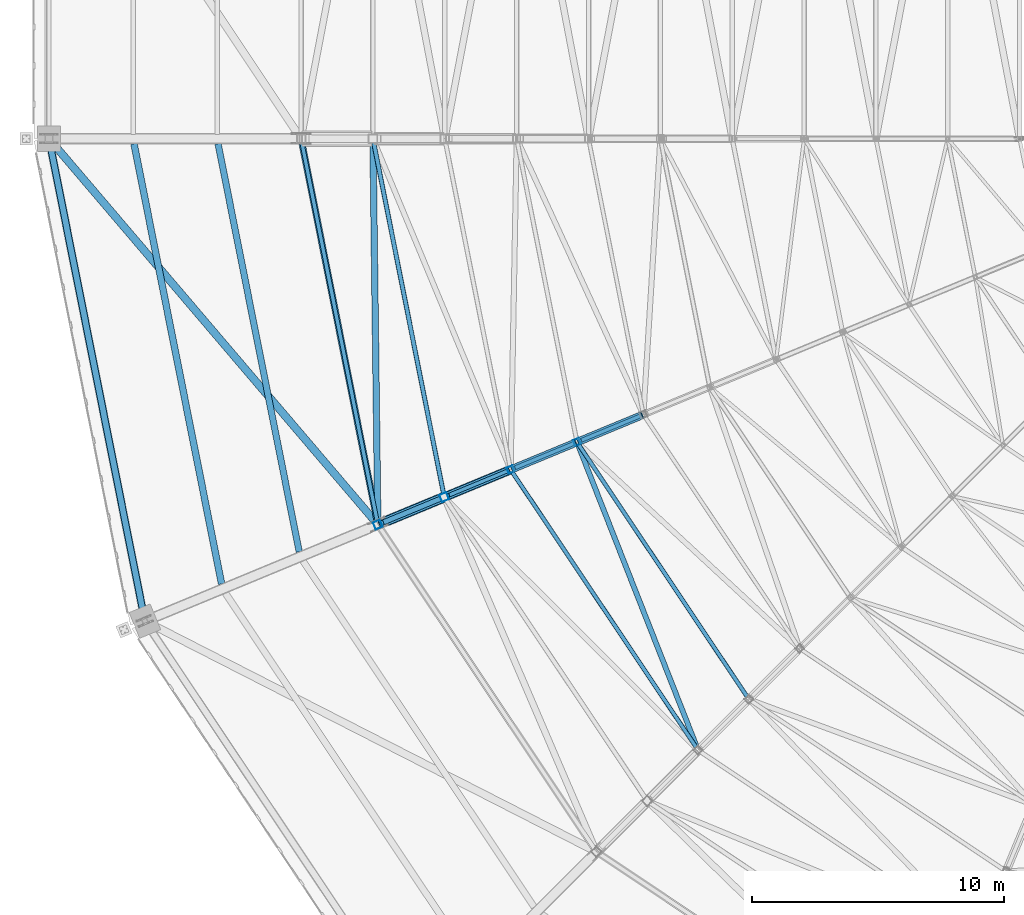
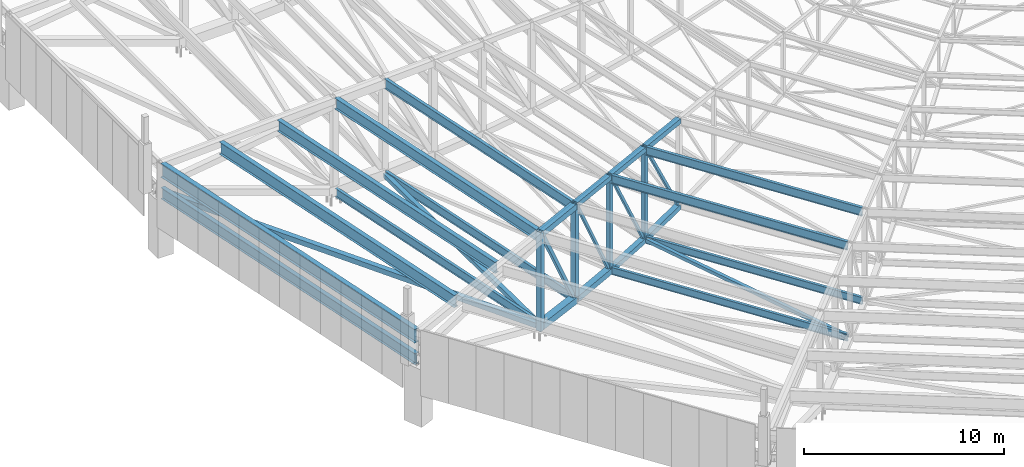
# One storey, part 9 of 278: 19 members, 12 beams.
"""IFC4 building model written with IfcOpenShell, lengths in metres."""

from ifc_helpers import new_model, si_unit, direction, frame, origin, origin_2d, place, context, subcontext, project, spatial, hollow_rectangle, i_section, extrude, material, material_profile, profile_set, type_object, element, save


model = new_model("IFC4")

# Units and contexts
model_context = context("Model", 3, precision=1e-05, world=origin(), true_north=direction((0.0, 1.0)))
body_context = subcontext(model_context, "Body", "Model", "MODEL_VIEW")
ifc_project = project(units=[si_unit("LENGTHUNIT", "METRE"), si_unit("AREAUNIT", "SQUARE_METRE"), si_unit("VOLUMEUNIT", "CUBIC_METRE"), si_unit("PLANEANGLEUNIT", "RADIAN"), si_unit("MASSUNIT", "GRAM", prefix="KILO")], contexts=[model_context])

# Site, building, storey
site_placement = place(None, origin())
site = spatial("IfcSite", under=ifc_project, at=site_placement, CompositionType="ELEMENT")
building_placement = place(site_placement, origin())
building = spatial("IfcBuilding", under=site, at=building_placement, Name="Ogive Plaza Stadium", CompositionType="ELEMENT")
storey_placement = place(building_placement, frame((0.0, 0.0, 29.0)))
storey = spatial("IfcBuildingStorey", under=building, at=storey_placement, Name="Roof", CompositionType="ELEMENT", Elevation=29.0)

# Members
ifc_material_1 = material(Name="Steel ASTM A500 Grade C", Category="steel")
ifc_material_profile_1 = material_profile(ifc_material_1, hollow_rectangle(XDim=0.25390625, YDim=0.25390625, WallThickness=0.0087890625, at=origin_2d()), Name="HSS10X10X3/8")
ifc_profile_set_1 = profile_set([ifc_material_profile_1], Name="Steel ASTM A500 Grade C")
member_type_1 = type_object("IfcMemberType", Name="Roof plan brace HSS10X10X3/8", PredefinedType="BRACE", material=ifc_profile_set_1)
member_1_placement = place(storey_placement, frame((-71.148193359375, -52.6494140625, 0.266845703125), z_axis=(0.012733242681, -0.99991008144, -0.004206372102), x_axis=(0.999918927545, 0.01273335533, 0.0)))
element("IfcMember", 1, at=member_1_placement, inside=storey, type_object=member_type_1, Name="ROOF BRACE B20 10", PredefinedType="BRACE", context=body_context, shape_type="SweptSolid", body=[
    extrude(hollow_rectangle(XDim=0.25390625, YDim=0.25390625, WallThickness=0.0087890625, at=origin_2d()), origin(), (0.0, 0.0, 1.0), 14.974609375),
])
ifc_material_2 = material(Name="Steel ASTM A500 Grade C", Category="steel")
ifc_material_profile_2 = material_profile(ifc_material_2, hollow_rectangle(XDim=0.3046875, YDim=0.3046875, WallThickness=0.0087890625, at=origin_2d()), Name="HSS12X12X3/8")
ifc_profile_set_2 = profile_set([ifc_material_profile_2], Name="Steel ASTM A500 Grade C")
member_type_2 = type_object("IfcMemberType", Name="Roof plan brace HSS12X12X3/8", PredefinedType="BRACE", material=ifc_profile_set_2)
member_2_placement = place(storey_placement, frame((-71.071533203125, -67.670654296875, 0.234130859375), z_axis=(-0.639156639067, 0.749996237985, 0.170248153429), x_axis=(-0.761107477886, -0.648625783566, 0.0)))
element("IfcMember", 2, at=member_2_placement, inside=storey, type_object=member_type_2, Name="ROOF BRACE B20 11", PredefinedType="BRACE", context=body_context, shape_type="SweptSolid", body=[
    extrude(hollow_rectangle(XDim=0.3046875, YDim=0.3046875, WallThickness=0.0087890625, at=origin_2d()), origin(), (0.0, 0.0, 1.0), 19.9228515625),
])
ifc_material_3 = material(Name="Steel ASTM A500 Grade C", Category="steel")
ifc_material_profile_3 = material_profile(ifc_material_3, hollow_rectangle(XDim=0.203125, YDim=0.203125, WallThickness=0.0087890625, at=origin_2d()), Name="HSS8X8X3/8")
ifc_profile_set_3 = profile_set([ifc_material_profile_3], Name="Steel ASTM A500 Grade C")
member_type_3 = type_object("IfcMemberType", Name="Roof plan brace HSS8X8X3/8", PredefinedType="BRACE", material=ifc_profile_set_3)
member_3_placement = place(storey_placement, frame((-63.019775390625, -64.62744140625, 0.728515625), z_axis=(0.365704344988, -0.930458154897, -0.022537835805), x_axis=(0.930694559954, 0.365797260887, 0.0)))
element("IfcMember", 3, at=member_3_placement, inside=storey, type_object=member_type_3, Name="ROOF BRACE B19 8", PredefinedType="BRACE", context=body_context, shape_type="SweptSolid", body=[
    extrude(hollow_rectangle(XDim=0.203125, YDim=0.203125, WallThickness=0.0087890625, at=origin_2d()), origin(), (0.0, 0.0, 1.0), 12.8798828125),
])
ifc_material_4 = material(Name="Steel ASTM A992 Grade 50", Category="steel")
ifc_material_profile_4 = material_profile(ifc_material_4, i_section(OverallWidth=0.15234375, OverallDepth=0.449462890625, WebThickness=0.007568359375, FlangeThickness=0.0107421875, at=origin_2d()), Name="W18X35")
ifc_profile_set_4 = profile_set([ifc_material_profile_4], Name="Steel ASTM A992 Grade 50")
member_type_4 = type_object("IfcMemberType", Name="Roof plan strut W18X35", PredefinedType="STRUT", material=ifc_profile_set_4)
member_4_placement = place(storey_placement, frame((-56.30224609375, -74.64306640625, 0.730712890625), z_axis=(-0.555574800687, 0.831466560266, 0.0), x_axis=(-0.831466560266, -0.555574800687, 0.0)))
element("IfcMember", 4, at=member_4_placement, inside=storey, type_object=member_type_4, Name="ROOF STRUT B19 7", PredefinedType="STRUT", context=body_context, shape_type="SweptSolid", body=[
    extrude(i_section(OverallWidth=0.15234375, OverallDepth=0.449462890625, WebThickness=0.007568359375, FlangeThickness=0.0107421875, at=origin_2d()), origin(), (0.0, 0.0, 1.0), 12.0419921875),
])
member_5_placement = place(storey_placement, frame((-58.3173828125, -76.658447265625, 0.434814453125), z_axis=(-0.555582209578, 0.831461609697, 0.0), x_axis=(-0.831461609697, -0.555582209578, 0.0)))
element("IfcMember", 5, at=member_5_placement, inside=storey, type_object=member_type_4, Name="ROOF STRUT B19 8", PredefinedType="STRUT", context=body_context, shape_type="SweptSolid", body=[
    extrude(i_section(OverallWidth=0.15234375, OverallDepth=0.449462890625, WebThickness=0.007568359375, FlangeThickness=0.0107421875, at=origin_2d()), origin(), (0.0, 0.0, 1.0), 13.154052734375),
])
ifc_material_5 = material(Name="Steel ASTM A992 Grade 50", Category="steel")
ifc_material_profile_5 = material_profile(ifc_material_5, i_section(OverallWidth=0.1650390625, OverallDepth=0.524658203125, WebThickness=0.0087890625, FlangeThickness=0.011474609375, at=origin_2d()), Name="W21X44")
ifc_profile_set_5 = profile_set([ifc_material_profile_5], Name="Steel ASTM A992 Grade 50")
member_type_5 = type_object("IfcMemberType", Name="Roof plan strut W21X44", PredefinedType="STRUT", material=ifc_profile_set_5)
member_6_placement = place(storey_placement, frame((-68.349853515625, -66.57763671875, 0.267333984375), z_axis=(-0.195080090906, 0.980787315442, 0.0), x_axis=(-0.980787315442, -0.195080090906, 0.0)))
element("IfcMember", 6, at=member_6_placement, inside=storey, type_object=member_type_5, Name="ROOF STRUT B20 9", PredefinedType="STRUT", context=body_context, shape_type="SweptSolid", body=[
    extrude(i_section(OverallWidth=0.1650390625, OverallDepth=0.524658203125, WebThickness=0.0087890625, FlangeThickness=0.011474609375, at=origin_2d()), origin(), (0.0, 0.0, 1.0), 14.185546875),
])
member_7_placement = place(storey_placement, frame((-70.98291015625, -67.668212890625, 0.203125), z_axis=(-0.195087872799, 0.98078576758, 0.0), x_axis=(-0.98078576758, -0.195087872799, 0.0)))
element("IfcMember", 7, at=member_7_placement, inside=storey, type_object=member_type_5, Name="ROOF STRUT B20 10", PredefinedType="STRUT", context=body_context, shape_type="SweptSolid", body=[
    extrude(i_section(OverallWidth=0.1650390625, OverallDepth=0.524658203125, WebThickness=0.0087890625, FlangeThickness=0.011474609375, at=origin_2d()), origin(), (0.0, 0.0, 1.0), 15.297607421875),
])
ifc_material_6 = material(Name="Steel ASTM A992 Grade 50", Category="steel")
ifc_material_profile_6 = material_profile(ifc_material_6, i_section(OverallWidth=0.2529296875, OverallDepth=0.678466796875, WebThickness=0.01171875, FlangeThickness=0.016357421875, at=origin_2d()), Name="W27X84")
ifc_profile_set_6 = profile_set([ifc_material_profile_6], Name="Steel ASTM A992 Grade 50")
member_type_6 = type_object("IfcMemberType", Name="Roof plan strut W27X84", PredefinedType="STRUT", material=ifc_profile_set_6)
member_8_placement = place(storey_placement, frame((-80.213134765625, -71.537353515625, 3.677734375), z_axis=(-0.195099495499, 0.980783455639, 0.0), x_axis=(-0.980783455639, -0.195099495499, 0.0)))
element("IfcMember", 8, at=member_8_placement, inside=storey, type_object=member_type_6, Name="ROOF STRUT B20 11", PredefinedType="STRUT", context=body_context, shape_type="SweptSolid", body=[
    extrude(i_section(OverallWidth=0.2529296875, OverallDepth=0.678466796875, WebThickness=0.01171875, FlangeThickness=0.016357421875, at=origin_2d()), origin(), (0.0, 0.0, 1.0), 19.259765625),
])
ifc_material_7 = material(Name="Steel ASTM A992 Grade 50", Category="steel")
ifc_material_profile_7 = material_profile(ifc_material_7, i_section(OverallWidth=0.1650390625, OverallDepth=0.524658203125, WebThickness=0.0087890625, FlangeThickness=0.011474609375, at=origin_2d()), Name="W21X44")
ifc_profile_set_7 = profile_set([ifc_material_profile_7], Name="Steel ASTM A992 Grade 50")
member_type_7 = type_object("IfcMemberType", Name="Roof purlin W21X44", PredefinedType="PURLIN", material=ifc_profile_set_7)
member_9_placement = place(storey_placement, frame((-56.302978515625, -74.64208984375, 6.1650390625), z_axis=(-0.555574992462, 0.831466432125, 0.0), x_axis=(-0.831466432125, -0.555574992462, 0.0)))
element("IfcMember", 9, at=member_9_placement, inside=storey, type_object=member_type_7, Name="ROOF PURLIN B19 7", PredefinedType="PURLIN", context=body_context, shape_type="SweptSolid", body=[
    extrude(i_section(OverallWidth=0.1650390625, OverallDepth=0.524658203125, WebThickness=0.0087890625, FlangeThickness=0.011474609375, at=origin_2d()), origin(), (0.0, 0.0, 1.0), 12.039306640625),
])
member_10_placement = place(storey_placement, frame((-58.318115234375, -76.657470703125, 6.022705078125), z_axis=(-0.555573811188, 0.831467221436, 0.0), x_axis=(-0.831467221436, -0.555573811188, 0.0)))
element("IfcMember", 10, at=member_10_placement, inside=storey, type_object=member_type_7, Name="ROOF PURLIN B19 8", PredefinedType="PURLIN", context=body_context, shape_type="SweptSolid", body=[
    extrude(i_section(OverallWidth=0.1650390625, OverallDepth=0.524658203125, WebThickness=0.0087890625, FlangeThickness=0.011474609375, at=origin_2d()), origin(), (0.0, 0.0, 1.0), 13.151611328125),
])
ifc_material_8 = material(Name="Steel ASTM A992 Grade 50", Category="steel")
ifc_material_profile_8 = material_profile(ifc_material_8, i_section(OverallWidth=0.177978515625, OverallDepth=0.5986328125, WebThickness=0.010009765625, FlangeThickness=0.012939453125, at=origin_2d()), Name="W24X55")
ifc_profile_set_8 = profile_set([ifc_material_profile_8], Name="Steel ASTM A992 Grade 50")
member_type_8 = type_object("IfcMemberType", Name="Roof purlin W24X55", PredefinedType="PURLIN", material=ifc_profile_set_8)
member_11_placement = place(storey_placement, frame((-68.35009765625, -66.576416015625, 5.84326171875), z_axis=(-0.195079909016, 0.98078735162, 0.0), x_axis=(-0.98078735162, -0.195079909016, 0.0)))
element("IfcMember", 11, at=member_11_placement, inside=storey, type_object=member_type_8, Name="ROOF PURLIN B20 9", PredefinedType="PURLIN", context=body_context, shape_type="SweptSolid", body=[
    extrude(i_section(OverallWidth=0.177978515625, OverallDepth=0.5986328125, WebThickness=0.010009765625, FlangeThickness=0.012939453125, at=origin_2d()), origin(), (0.0, 0.0, 1.0), 14.18310546875),
])
ifc_material_9 = material(Name="Steel ASTM A992 Grade 50", Category="steel")
ifc_material_profile_9 = material_profile(ifc_material_9, i_section(OverallWidth=0.2529296875, OverallDepth=0.678466796875, WebThickness=0.01171875, FlangeThickness=0.016357421875, at=origin_2d()), Name="W27X84")
ifc_profile_set_9 = profile_set([ifc_material_profile_9], Name="Steel ASTM A992 Grade 50")
member_type_9 = type_object("IfcMemberType", Name="Roof purlin W27X84", PredefinedType="PURLIN", material=ifc_profile_set_9)
member_12_placement = place(storey_placement, frame((-70.984619140625, -67.65966796875, 5.660888671875), z_axis=(-0.195086699859, 0.980786000888, 0.0), x_axis=(-0.980786000888, -0.195086699859, 0.0)))
element("IfcMember", 12, at=member_12_placement, inside=storey, type_object=member_type_9, Name="ROOF PURLIN B20 10", PredefinedType="PURLIN", context=body_context, shape_type="SweptSolid", body=[
    extrude(i_section(OverallWidth=0.2529296875, OverallDepth=0.678466796875, WebThickness=0.01171875, FlangeThickness=0.016357421875, at=origin_2d()), origin(), (0.0, 0.0, 1.0), 15.2802734375),
])
member_13_placement = place(storey_placement, frame((-74.07421875, -68.884521484375, 5.494140625), z_axis=(-0.195097549229, 0.980783842794, 0.0), x_axis=(-0.980783842794, -0.195097549229, 0.0)))
element("IfcMember", 13, at=member_13_placement, inside=storey, type_object=member_type_9, Name="ROOF PURLIN B20 11", PredefinedType="PURLIN", context=body_context, shape_type="SweptSolid", body=[
    extrude(i_section(OverallWidth=0.2529296875, OverallDepth=0.678466796875, WebThickness=0.01171875, FlangeThickness=0.016357421875, at=origin_2d()), origin(), (0.0, 0.0, 1.0), 16.503173828125),
])
ifc_material_10 = material(Name="Steel ASTM A992 Grade 50", Category="steel")
ifc_material_profile_10 = material_profile(ifc_material_10, i_section(OverallWidth=0.26416015625, OverallDepth=0.75, WebThickness=0.011962890625, FlangeThickness=0.015380859375, at=origin_2d()), Name="W30X90")
ifc_profile_set_10 = profile_set([ifc_material_profile_10], Name="Steel ASTM A992 Grade 50")
member_type_10 = type_object("IfcMemberType", Name="Roof purlin W30X90", PredefinedType="PURLIN", material=ifc_profile_set_10)
member_14_placement = place(storey_placement, frame((-77.154052734375, -70.158935546875, 5.291748046875), z_axis=(-0.195090070818, 0.98078533037, 0.0), x_axis=(-0.98078533037, -0.195090070818, 0.0)))
element("IfcMember", 14, at=member_14_placement, inside=storey, type_object=member_type_10, Name="ROOF PURLIN B20 12", PredefinedType="PURLIN", context=body_context, shape_type="SweptSolid", body=[
    extrude(i_section(OverallWidth=0.26416015625, OverallDepth=0.75, WebThickness=0.011962890625, FlangeThickness=0.015380859375, at=origin_2d()), origin(), (0.0, 0.0, 1.0), 17.801513671875),
])
ifc_material_11 = material(Name="Steel ASTM A992 Grade 50", Category="steel")
ifc_material_profile_11 = material_profile(ifc_material_11, i_section(OverallWidth=0.2919921875, OverallDepth=0.834716796875, WebThickness=0.013916015625, FlangeThickness=0.018798828125, at=origin_2d()), Name="W33X118")
ifc_profile_set_11 = profile_set([ifc_material_profile_11], Name="Steel ASTM A992 Grade 50")
member_type_11 = type_object("IfcMemberType", Name="Roof purlin W33X118", PredefinedType="PURLIN", material=ifc_profile_set_11)
member_15_placement = place(storey_placement, frame((-80.214111328125, -71.533447265625, 5.082763671875), z_axis=(-0.195089328978, 0.98078547793, 0.0), x_axis=(-0.98078547793, -0.195089328978, 0.0)))
element("IfcMember", 15, at=member_15_placement, inside=storey, type_object=member_type_11, Name="ROOF PURLIN B20 13", PredefinedType="PURLIN", context=body_context, shape_type="SweptSolid", body=[
    extrude(i_section(OverallWidth=0.2919921875, OverallDepth=0.834716796875, WebThickness=0.013916015625, FlangeThickness=0.018798828125, at=origin_2d()), origin(), (0.0, 0.0, 1.0), 19.251953125),
])

# Beams
ifc_material_12 = material(Name="Steel ASTM A500 Grade C", Category="steel")
ifc_material_profile_12 = material_profile(ifc_material_12, hollow_rectangle(XDim=0.3046875, YDim=0.3046875, WallThickness=0.0146484375, at=origin_2d()), Name="HSS12X12X5/8")
ifc_profile_set_12 = profile_set([ifc_material_profile_12], Name="Steel ASTM A500 Grade C")
beam_type_1 = type_object("IfcBeamType", Name="Roof truss bottom chord HSS12X12X5/8", PredefinedType="BEAM", material=ifc_profile_set_12)
beam_1_placement = place(storey_placement, frame((-60.46923828125, -63.4638671875, 1.17431640625), z_axis=(-0.912570809119, -0.378060038258, -0.15583685641), x_axis=(0.382735997737, -0.923857757469, 0.0)))
element("IfcBeam", 16, at=beam_1_placement, inside=storey, type_object=beam_type_1, Name="ROOF TRUSS T20 BOTTOM CHORD 7", PredefinedType="BEAM", context=body_context, shape_type="SweptSolid", body=[
    extrude(hollow_rectangle(XDim=0.3046875, YDim=0.3046875, WallThickness=0.0146484375, at=origin_2d()), origin(), (0.0, 0.0, 1.0), 2.783935546875),
])
beam_2_placement = place(storey_placement, frame((-63.102294921875, -64.554443359375, 0.72607421875), z_axis=(-0.918040635639, -0.380326079208, -0.112042245557), x_axis=(0.382735997737, -0.923857757469, 0.0)))
element("IfcBeam", 17, at=beam_2_placement, inside=storey, type_object=beam_type_1, Name="ROOF TRUSS T20 BOTTOM CHORD 8", PredefinedType="BEAM", context=body_context, shape_type="SweptSolid", body=[
    extrude(hollow_rectangle(XDim=0.3046875, YDim=0.3046875, WallThickness=0.0146484375, at=origin_2d()), origin(), (0.0, 0.0, 1.0), 2.767333984375),
])
ifc_material_13 = material(Name="Steel ASTM A500 Grade C", Category="steel")
ifc_material_profile_13 = material_profile(ifc_material_13, hollow_rectangle(XDim=0.355712890625, YDim=0.355712890625, WallThickness=0.0146484375, at=origin_2d()), Name="HSS14X14X5/8")
ifc_profile_set_13 = profile_set([ifc_material_profile_13], Name="Steel ASTM A500 Grade C")
beam_type_2 = type_object("IfcBeamType", Name="Roof truss bottom chord HSS14X14X5/8", PredefinedType="BEAM", material=ifc_profile_set_13)
beam_3_placement = place(storey_placement, frame((-65.7353515625, -65.645263671875, 0.431884765625), z_axis=(-0.92178205255, -0.381787492455, -0.067499320012), x_axis=(0.382660217904, -0.923889147914, 0.0)))
element("IfcBeam", 18, at=beam_3_placement, inside=storey, type_object=beam_type_2, Name="ROOF TRUSS T20 BOTTOM CHORD 9", PredefinedType="BEAM", context=body_context, shape_type="SweptSolid", body=[
    extrude(hollow_rectangle(XDim=0.355712890625, YDim=0.355712890625, WallThickness=0.0146484375, at=origin_2d()), origin(), (0.0, 0.0, 1.0), 2.756103515625),
])
ifc_material_14 = material(Name="Steel ASTM A500 Grade C", Category="steel")
ifc_material_profile_14 = material_profile(ifc_material_14, hollow_rectangle(XDim=0.406494140625, YDim=0.406494140625, WallThickness=0.0146484375, at=origin_2d()), Name="HSS16X16X5/8")
ifc_profile_set_14 = profile_set([ifc_material_profile_14], Name="Steel ASTM A500 Grade C")
beam_type_3 = type_object("IfcBeamType", Name="Roof truss bottom chord HSS16X16X5/8", PredefinedType="BEAM", material=ifc_profile_set_14)
beam_4_placement = place(storey_placement, frame((-68.368408203125, -66.73583984375, 0.266357421875), z_axis=(-0.923654312396, -0.382562952761, -0.022545473318), x_axis=(0.382660217904, -0.923889147914, 0.0)))
element("IfcBeam", 19, at=beam_4_placement, inside=storey, type_object=beam_type_3, Name="ROOF TRUSS T20 BOTTOM CHORD 10", PredefinedType="BEAM", context=body_context, shape_type="SweptSolid", body=[
    extrude(hollow_rectangle(XDim=0.406494140625, YDim=0.406494140625, WallThickness=0.0146484375, at=origin_2d()), origin(), (0.0, 0.0, 1.0), 2.75048828125),
])

# Members
ifc_material_15 = material(Name="Steel ASTM A500 Grade C", Category="steel")
ifc_material_profile_15 = material_profile(ifc_material_15, hollow_rectangle(XDim=0.15234375, YDim=0.15234375, WallThickness=0.0087890625, at=origin_2d()), Name="HSS6X6X3/8")
ifc_profile_set_15 = profile_set([ifc_material_profile_15], Name="Steel ASTM A500 Grade C")
member_type_12 = type_object("IfcMemberType", Name="Roof truss diagonal HSS6X6X3/8", PredefinedType="BRACE", material=ifc_profile_set_15)
member_16_placement = place(storey_placement, frame((-60.540283203125, -63.493408203125, 1.332763671875), z_axis=(-0.440218602007, -0.18233402805, 0.879182509302), x_axis=(0.382664645806, -0.923887313935, 0.0)))
element("IfcMember", 20, at=member_16_placement, inside=storey, type_object=member_type_12, Name="ROOF TRUSS T20 DIAGONAL 7", PredefinedType="BRACE", context=body_context, shape_type="SweptSolid", body=[
    extrude(hollow_rectangle(XDim=0.15234375, YDim=0.15234375, WallThickness=0.0087890625, at=origin_2d()), origin(), (0.0, 0.0, 1.0), 5.4482421875),
])
member_17_placement = place(storey_placement, frame((-63.17333984375, -64.583984375, 0.883056640625), z_axis=(-0.419293904541, -0.17366723306, 0.891084908287), x_axis=(0.382664645806, -0.923887313935, 0.0)))
element("IfcMember", 21, at=member_17_placement, inside=storey, type_object=member_type_12, Name="ROOF TRUSS T20 DIAGONAL 8", PredefinedType="BRACE", context=body_context, shape_type="SweptSolid", body=[
    extrude(hollow_rectangle(XDim=0.15234375, YDim=0.15234375, WallThickness=0.0087890625, at=origin_2d()), origin(), (0.0, 0.0, 1.0), 5.72021484375),
])
member_18_placement = place(storey_placement, frame((-65.806396484375, -65.674560546875, 0.612548828125), z_axis=(-0.407847472246, -0.168958194197, 0.897281208984), x_axis=(0.382726432205, -0.923861720222, 0.0)))
element("IfcMember", 22, at=member_18_placement, inside=storey, type_object=member_type_12, Name="ROOF TRUSS T20 DIAGONAL 9", PredefinedType="BRACE", context=body_context, shape_type="SweptSolid", body=[
    extrude(hollow_rectangle(XDim=0.15234375, YDim=0.15234375, WallThickness=0.0087890625, at=origin_2d()), origin(), (0.0, 0.0, 1.0), 5.8232421875),
])
ifc_material_16 = material(Name="Steel ASTM A500 Grade C", Category="steel")
ifc_material_profile_16 = material_profile(ifc_material_16, hollow_rectangle(XDim=0.203125, YDim=0.203125, WallThickness=0.0087890625, at=origin_2d()), Name="HSS8X8X3/8")
ifc_profile_set_16 = profile_set([ifc_material_profile_16], Name="Steel ASTM A500 Grade C")
member_type_13 = type_object("IfcMemberType", Name="Roof truss diagonal HSS8X8X3/8", PredefinedType="BRACE", material=ifc_profile_set_16)
member_19_placement = place(storey_placement, frame((-68.462890625, -66.77490234375, 0.470703125), z_axis=(-0.407844983819, -0.168947413355, 0.897284370027), x_axis=(0.382707581205, -0.923869529365, 0.0)))
element("IfcMember", 23, at=member_19_placement, inside=storey, type_object=member_type_13, Name="ROOF TRUSS T20 DIAGONAL 10", PredefinedType="BRACE", context=body_context, shape_type="SweptSolid", body=[
    extrude(hollow_rectangle(XDim=0.203125, YDim=0.203125, WallThickness=0.0087890625, at=origin_2d()), origin(), (0.0, 0.0, 1.0), 5.765869140625),
])

# Beams
ifc_material_17 = material(Name="Steel ASTM A500 Grade C", Category="steel")
ifc_material_profile_17 = material_profile(ifc_material_17, hollow_rectangle(XDim=0.25390625, YDim=0.25390625, WallThickness=0.01171875, at=origin_2d()), Name="HSS10X10X1/2")
ifc_profile_set_17 = profile_set([ifc_material_profile_17], Name="Steel ASTM A500 Grade C")
beam_type_4 = type_object("IfcBeamType", Name="Roof truss post HSS10X10X1/2", PredefinedType="BEAM", material=ifc_profile_set_17)
beam_5_placement = place(storey_placement, frame((-63.055908203125, -64.535400390625, 0.578369140625), z_axis=(0.0, 0.0, 1.0), x_axis=(0.382683432365, -0.923879532511, 0.0)))
element("IfcBeam", 24, at=beam_5_placement, inside=storey, type_object=beam_type_4, Name="ROOF TRUSS T20 POST 8", PredefinedType="BEAM", context=body_context, shape_type="SweptSolid", body=[
    extrude(hollow_rectangle(XDim=0.25390625, YDim=0.25390625, WallThickness=0.01171875, at=origin_2d()), origin(), (0.0, 0.0, 1.0), 5.84912109375),
])
beam_6_placement = place(storey_placement, frame((-65.68896484375, -65.6259765625, 0.257080078125), z_axis=(0.0, 0.0, 1.0), x_axis=(0.382683432365, -0.923879532511, 0.0)))
element("IfcBeam", 25, at=beam_6_placement, inside=storey, type_object=beam_type_4, Name="ROOF TRUSS T20 POST 9", PredefinedType="BEAM", context=body_context, shape_type="SweptSolid", body=[
    extrude(hollow_rectangle(XDim=0.25390625, YDim=0.25390625, WallThickness=0.01171875, at=origin_2d()), origin(), (0.0, 0.0, 1.0), 6.02783203125),
])
ifc_material_18 = material(Name="Steel ASTM A500 Grade C", Category="steel")
ifc_material_profile_18 = material_profile(ifc_material_18, hollow_rectangle(XDim=0.3046875, YDim=0.3046875, WallThickness=0.01171875, at=origin_2d()), Name="HSS12X12X1/2")
ifc_profile_set_18 = profile_set([ifc_material_profile_18], Name="Steel ASTM A500 Grade C")
beam_type_5 = type_object("IfcBeamType", Name="Roof truss post HSS12X12X1/2", PredefinedType="BEAM", material=ifc_profile_set_18)
beam_7_placement = place(storey_placement, frame((-68.322021484375, -66.716796875, 0.064208984375), z_axis=(0.0, 0.0, 1.0), x_axis=(0.382683432365, -0.923879532511, 0.0)))
element("IfcBeam", 26, at=beam_7_placement, inside=storey, type_object=beam_type_5, Name="ROOF TRUSS T20 POST 10", PredefinedType="BEAM", context=body_context, shape_type="SweptSolid", body=[
    extrude(hollow_rectangle(XDim=0.3046875, YDim=0.3046875, WallThickness=0.01171875, at=origin_2d()), origin(), (0.0, 0.0, 1.0), 6.078369140625),
])
beam_8_placement = place(storey_placement, frame((-70.955078125, -67.807373046875, -0.06005859375), z_axis=(0.0, 0.0, 1.0), x_axis=(0.382683432365, -0.923879532511, 0.0)))
element("IfcBeam", 27, at=beam_8_placement, inside=storey, type_object=beam_type_5, Name="ROOF TRUSS T20 POST 11", PredefinedType="BEAM", context=body_context, shape_type="SweptSolid", body=[
    extrude(hollow_rectangle(XDim=0.3046875, YDim=0.3046875, WallThickness=0.01171875, at=origin_2d()), origin(), (0.0, 0.0, 1.0), 6.06005859375),
])
ifc_material_19 = material(Name="Steel ASTM A500 Grade C", Category="steel")
ifc_material_profile_19 = material_profile(ifc_material_19, hollow_rectangle(XDim=0.3046875, YDim=0.3046875, WallThickness=0.01171875, at=origin_2d()), Name="HSS12X12X1/2")
ifc_profile_set_19 = profile_set([ifc_material_profile_19], Name="Steel ASTM A500 Grade C")
beam_type_6 = type_object("IfcBeamType", Name="Roof truss top chord HSS12X12X1/2", PredefinedType="BEAM", material=ifc_profile_set_19)
beam_9_placement = place(storey_placement, frame((-65.7353515625, -65.645263671875, 6.1298828125), z_axis=(-0.922737112453, -0.382183063105, -0.049923216828), x_axis=(0.382660217904, -0.923889147914, 0.0)))
element("IfcBeam", 28, at=beam_9_placement, inside=storey, type_object=beam_type_6, Name="ROOF TRUSS T20 TOP CHORD 9", PredefinedType="BEAM", context=body_context, shape_type="SweptSolid", body=[
    extrude(hollow_rectangle(XDim=0.3046875, YDim=0.3046875, WallThickness=0.01171875, at=origin_2d()), origin(), (0.0, 0.0, 1.0), 2.753173828125),
])
ifc_material_20 = material(Name="Steel ASTM A500 Grade C", Category="steel")
ifc_material_profile_20 = material_profile(ifc_material_20, hollow_rectangle(XDim=0.3046875, YDim=0.3046875, WallThickness=0.0087890625, at=origin_2d()), Name="HSS12X12X3/8")
ifc_profile_set_20 = profile_set([ifc_material_profile_20], Name="Steel ASTM A500 Grade C")
beam_type_7 = type_object("IfcBeamType", Name="Roof truss top chord HSS12X12X3/8", PredefinedType="BEAM", material=ifc_profile_set_20)
for number, where, z_axis, x_axis, name in (
    (29, (-60.46923828125, -63.4638671875, 6.414794921875), (-0.922705839284, -0.382258780814, -0.049921524843), (0.382735997737, -0.923857757469, 0.0), "ROOF TRUSS T20 TOP CHORD 7"),
    (30, (-63.102294921875, -64.554443359375, 6.2724609375), (-0.922705839284, -0.382258780814, -0.049921524843), (0.382735997737, -0.923857757469, 0.0), "ROOF TRUSS T20 TOP CHORD 8"),
):
    element("IfcBeam", number, at=place(storey_placement, frame(where, z_axis=z_axis, x_axis=x_axis)), inside=storey, type_object=beam_type_7, Name=name, PredefinedType="BEAM", context=body_context, shape_type="SweptSolid", body=[
        extrude(hollow_rectangle(XDim=0.3046875, YDim=0.3046875, WallThickness=0.0087890625, at=origin_2d()), origin(), (0.0, 0.0, 1.0), 2.75341796875),
    ])
ifc_material_21 = material(Name="Steel ASTM A500 Grade C", Category="steel")
ifc_material_profile_21 = material_profile(ifc_material_21, hollow_rectangle(XDim=0.355712890625, YDim=0.355712890625, WallThickness=0.01171875, at=origin_2d()), Name="HSS14X14X1/2")
ifc_profile_set_21 = profile_set([ifc_material_profile_21], Name="Steel ASTM A500 Grade C")
beam_type_8 = type_object("IfcBeamType", Name="Roof truss top chord HSS14X14X1/2", PredefinedType="BEAM", material=ifc_profile_set_21)
beam_10_placement = place(storey_placement, frame((-68.368408203125, -66.73583984375, 5.9619140625), z_axis=(-0.922737112453, -0.382183063105, -0.049923216828), x_axis=(0.382660217904, -0.923889147914, 0.0)))
element("IfcBeam", 31, at=beam_10_placement, inside=storey, type_object=beam_type_8, Name="ROOF TRUSS T20 TOP CHORD 10", PredefinedType="BEAM", context=body_context, shape_type="SweptSolid", body=[
    extrude(hollow_rectangle(XDim=0.355712890625, YDim=0.355712890625, WallThickness=0.01171875, at=origin_2d()), origin(), (0.0, 0.0, 1.0), 2.753173828125),
])

save(model, "model.ifc")
